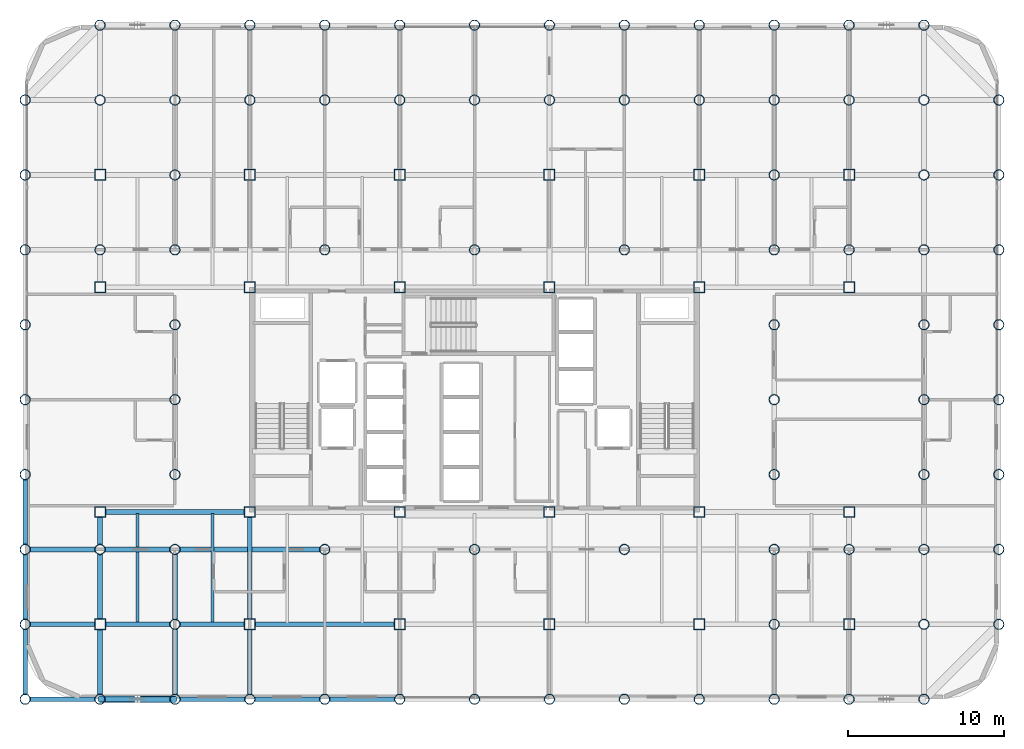
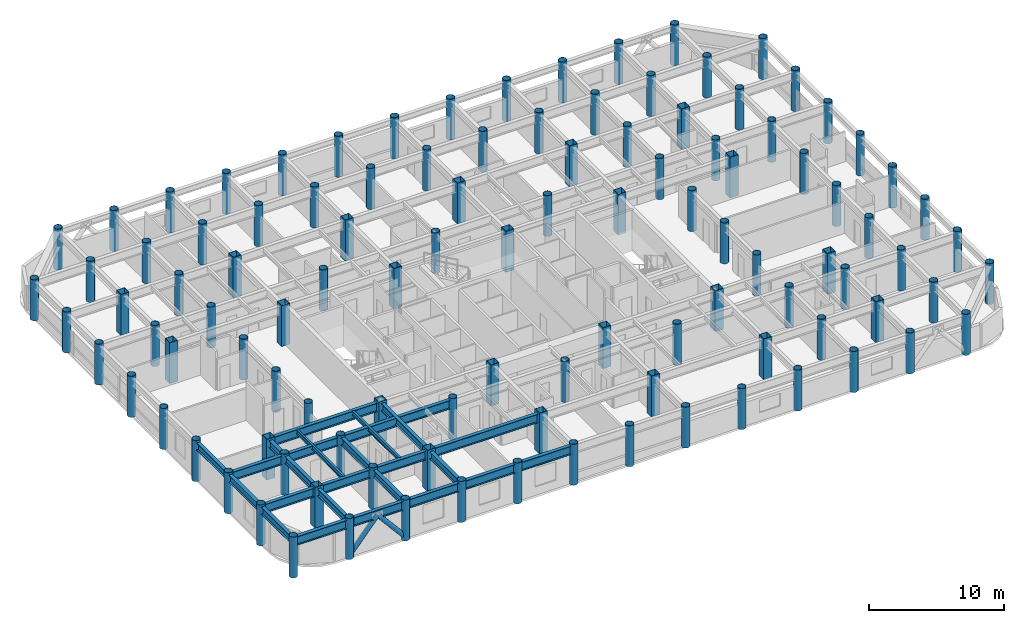
# One storey, part 1 of 22: 108 columns, 25 beams, 2 members.
"""IFC4 building model written with IfcOpenShell, lengths in metres."""

from ifc_helpers import new_model, si_unit, direction, frame, origin, origin_2d, place, context, subcontext, project, spatial, hollow_rectangle, hollow_circle, i_section, extrude, material, material_profile, profile_set, type_object, element, save


model = new_model("IFC4")

# Units and contexts
model_context = context("Model", 3, precision=1e-05, world=origin(), true_north=direction((0.0, 1.0)))
body_context = subcontext(model_context, "Body", "Model", "MODEL_VIEW")
ifc_project = project(units=[si_unit("LENGTHUNIT", "METRE"), si_unit("AREAUNIT", "SQUARE_METRE"), si_unit("VOLUMEUNIT", "CUBIC_METRE"), si_unit("PLANEANGLEUNIT", "RADIAN"), si_unit("MASSUNIT", "GRAM", prefix="KILO")], contexts=[model_context])

# Site, building, storey
site_placement = place(None, origin())
site = spatial("IfcSite", under=ifc_project, at=site_placement, CompositionType="ELEMENT")
building_placement = place(site_placement, origin())
building = spatial("IfcBuilding", under=site, at=building_placement, Name="Kallvorn Hotel Tower", CompositionType="ELEMENT")
storey_placement = place(building_placement, frame((0.0, 0.0, 106.300048828125)))
storey = spatial("IfcBuildingStorey", under=building, at=storey_placement, Name="L25", CompositionType="ELEMENT", Elevation=106.300048828125)

# Columns
ifc_material_1 = material(Name="Structural steel S355J2H", Category="steel")
ifc_material_profile_1 = material_profile(ifc_material_1, hollow_circle(Radius=0.330078125, WallThickness=0.028076171875, at=origin_2d()), Name="CHS 660x28")
ifc_profile_set_1 = profile_set([ifc_material_profile_1], Name="Structural steel S355J2H")
column_type_1 = type_object("IfcColumnType", Name="COL_CHS_660", PredefinedType="COLUMN", material=ifc_profile_set_1)
for number, where, z_axis, x_axis, name in (
    (1, (-28.800048828125, -19.199951171875, 0.0), (0.0, 0.0, 1.0), (1.0, 0.0, 0.0), "L25 Exoskeleton Column EC01"),
    (2, (-28.800048828125, -14.39990234375, 0.0), (0.0, 0.0, 1.0), (1.0, 0.0, 0.0), "L25 Exoskeleton Column EC02"),
    (3, (-28.800048828125, -9.60009765625, 0.0), (0.0, 0.0, 1.0), (1.0, 0.0, 0.0), "L25 Exoskeleton Column EC03"),
    (4, (-28.800048828125, -4.800048828125, 0.0), (0.0, 0.0, 1.0), (1.0, 0.0, 0.0), "L25 Exoskeleton Column EC04"),
    (5, (-28.800048828125, 0.0, 0.0), (0.0, 0.0, 1.0), (1.0, 0.0, 0.0), "L25 Exoskeleton Column EC05"),
    (6, (-28.800048828125, 4.800048828125, 0.0), (0.0, 0.0, 1.0), (1.0, 0.0, 0.0), "L25 Exoskeleton Column EC06"),
    (7, (-28.800048828125, 9.60009765625, 0.0), (0.0, 0.0, 1.0), (1.0, 0.0, 0.0), "L25 Exoskeleton Column EC07"),
    (8, (-28.800048828125, 14.39990234375, 0.0), (0.0, 0.0, 1.0), (1.0, 0.0, 0.0), "L25 Exoskeleton Column EC08"),
    (9, (-28.800048828125, 19.199951171875, 0.0), (0.0, 0.0, 1.0), (1.0, 0.0, 0.0), "L25 Exoskeleton Column EC09"),
    (10, (-24.0, -19.199951171875, 0.0), (0.0, 0.0, 1.0), (1.0, 0.0, 0.0), "L25 Exoskeleton Column EC10"),
    (11, (-24.0, -9.60009765625, 0.0), (0.0, 0.0, 1.0), (1.0, 0.0, 0.0), "L25 Exoskeleton Column EC11"),
    (12, (-24.0, 9.60009765625, 0.0), (0.0, 0.0, 1.0), (1.0, 0.0, 0.0), "L25 Exoskeleton Column EC12"),
    (13, (-24.0, 19.199951171875, 0.0), (0.0, 0.0, 1.0), (1.0, 0.0, 0.0), "L25 Exoskeleton Column EC13"),
    (14, (-24.0, 24.0, 0.0), (0.0, 0.0, 1.0), (1.0, 0.0, 0.0), "L25 Exoskeleton Column EC14"),
    (15, (-19.199951171875, -19.199951171875, 0.0), (0.0, 0.0, 1.0), (1.0, 0.0, 0.0), "L25 Exoskeleton Column EC15"),
    (16, (-19.199951171875, -14.39990234375, 0.0), (0.0, 0.0, 1.0), (1.0, 0.0, 0.0), "L25 Exoskeleton Column EC16"),
    (17, (-19.199951171875, -9.60009765625, 0.0), (0.0, 0.0, 1.0), (1.0, 0.0, 0.0), "L25 Exoskeleton Column EC17"),
    (18, (-19.199951171875, -4.800048828125, 0.0), (0.0, 0.0, 1.0), (1.0, 0.0, 0.0), "L25 Exoskeleton Column EC18"),
    (19, (-19.199951171875, 0.0, 0.0), (0.0, 0.0, 1.0), (1.0, 0.0, 0.0), "L25 Exoskeleton Column EC19"),
    (20, (-19.199951171875, 4.800048828125, 0.0), (0.0, 0.0, 1.0), (1.0, 0.0, 0.0), "L25 Exoskeleton Column EC20"),
    (21, (-19.199951171875, 9.60009765625, 0.0), (0.0, 0.0, 1.0), (1.0, 0.0, 0.0), "L25 Exoskeleton Column EC21"),
    (22, (-19.199951171875, 14.39990234375, 0.0), (0.0, 0.0, 1.0), (1.0, 0.0, 0.0), "L25 Exoskeleton Column EC22"),
    (23, (-19.199951171875, 19.199951171875, 0.0), (0.0, 0.0, 1.0), (1.0, 0.0, 0.0), "L25 Exoskeleton Column EC23"),
    (24, (-19.199951171875, 24.0, 0.0), (0.0, 0.0, 1.0), (1.0, 0.0, 0.0), "L25 Exoskeleton Column EC24"),
    (25, (-14.39990234375, -19.199951171875, 0.0), (0.0, 0.0, 1.0), (1.0, 0.0, 0.0), "L25 Exoskeleton Column EC25"),
    (26, (-14.39990234375, 19.199951171875, 0.0), (0.0, 0.0, 1.0), (1.0, 0.0, 0.0), "L25 Exoskeleton Column EC26"),
    (27, (-14.39990234375, 24.0, 0.0), (0.0, 0.0, 1.0), (1.0, 0.0, 0.0), "L25 Exoskeleton Column EC27"),
    (28, (-9.60009765625, -19.199951171875, 0.0), (0.0, 0.0, 1.0), (1.0, 0.0, 0.0), "L25 Exoskeleton Column EC28"),
    (29, (-9.60009765625, -9.60009765625, 0.0), (0.0, 0.0, 1.0), (1.0, 0.0, 0.0), "L25 Exoskeleton Column EC29"),
    (30, (-9.60009765625, 9.60009765625, 0.0), (0.0, 0.0, 1.0), (1.0, 0.0, 0.0), "L25 Exoskeleton Column EC30"),
    (31, (-9.60009765625, 19.199951171875, 0.0), (0.0, 0.0, 1.0), (1.0, 0.0, 0.0), "L25 Exoskeleton Column EC31"),
    (32, (-9.60009765625, 24.0, 0.0), (0.0, 0.0, 1.0), (1.0, 0.0, 0.0), "L25 Exoskeleton Column EC32"),
    (33, (-4.800048828125, -19.199951171875, 0.0), (0.0, 0.0, 1.0), (1.0, 0.0, 0.0), "L25 Exoskeleton Column EC33"),
    (34, (-4.800048828125, 19.199951171875, 0.0), (0.0, 0.0, 1.0), (1.0, 0.0, 0.0), "L25 Exoskeleton Column EC34"),
    (35, (-4.800048828125, 24.0, 0.0), (0.0, 0.0, 1.0), (1.0, 0.0, 0.0), "L25 Exoskeleton Column EC35"),
    (36, (0.0, -19.199951171875, 0.0), (0.0, 0.0, 1.0), (1.0, 0.0, 0.0), "L25 Exoskeleton Column EC36"),
    (37, (0.0, -9.60009765625, 0.0), (0.0, 0.0, 1.0), (1.0, 0.0, 0.0), "L25 Exoskeleton Column EC37"),
    (38, (0.0, 9.60009765625, 0.0), (0.0, 0.0, 1.0), (1.0, 0.0, 0.0), "L25 Exoskeleton Column EC38"),
    (39, (0.0, 19.199951171875, 0.0), (0.0, 0.0, 1.0), (1.0, 0.0, 0.0), "L25 Exoskeleton Column EC39"),
    (40, (0.0, 24.0, 0.0), (0.0, 0.0, 1.0), (1.0, 0.0, 0.0), "L25 Exoskeleton Column EC40"),
    (41, (4.800048828125, -19.199951171875, 0.0), (0.0, 0.0, 1.0), (1.0, 0.0, 0.0), "L25 Exoskeleton Column EC41"),
    (42, (4.800048828125, 19.199951171875, 0.0), (0.0, 0.0, 1.0), (1.0, 0.0, 0.0), "L25 Exoskeleton Column EC42"),
    (43, (4.800048828125, 24.0, 0.0), (0.0, 0.0, 1.0), (1.0, 0.0, 0.0), "L25 Exoskeleton Column EC43"),
    (44, (9.60009765625, -19.199951171875, 0.0), (0.0, 0.0, 1.0), (1.0, 0.0, 0.0), "L25 Exoskeleton Column EC44"),
    (45, (9.60009765625, -9.60009765625, 0.0), (0.0, 0.0, 1.0), (1.0, 0.0, 0.0), "L25 Exoskeleton Column EC45"),
    (46, (9.60009765625, 9.60009765625, 0.0), (0.0, 0.0, 1.0), (1.0, 0.0, 0.0), "L25 Exoskeleton Column EC46"),
    (47, (9.60009765625, 19.199951171875, 0.0), (0.0, 0.0, 1.0), (1.0, 0.0, 0.0), "L25 Exoskeleton Column EC47"),
    (48, (9.60009765625, 24.0, 0.0), (0.0, 0.0, 1.0), (1.0, 0.0, 0.0), "L25 Exoskeleton Column EC48"),
    (49, (14.39990234375, -19.199951171875, 0.0), (0.0, 0.0, 1.0), (1.0, 0.0, 0.0), "L25 Exoskeleton Column EC49"),
    (50, (14.39990234375, 19.199951171875, 0.0), (0.0, 0.0, 1.0), (1.0, 0.0, 0.0), "L25 Exoskeleton Column EC50"),
    (51, (14.39990234375, 24.0, 0.0), (0.0, 0.0, 1.0), (1.0, 0.0, 0.0), "L25 Exoskeleton Column EC51"),
    (52, (19.199951171875, -19.199951171875, 0.0), (0.0, 0.0, 1.0), (1.0, 0.0, 0.0), "L25 Exoskeleton Column EC52"),
    (53, (19.199951171875, -14.39990234375, 0.0), (0.0, 0.0, 1.0), (1.0, 0.0, 0.0), "L25 Exoskeleton Column EC53"),
    (54, (19.199951171875, -9.60009765625, 0.0), (0.0, 0.0, 1.0), (1.0, 0.0, 0.0), "L25 Exoskeleton Column EC54"),
    (55, (19.199951171875, -4.800048828125, 0.0), (0.0, 0.0, 1.0), (1.0, 0.0, 0.0), "L25 Exoskeleton Column EC55"),
    (56, (19.199951171875, 0.0, 0.0), (0.0, 0.0, 1.0), (1.0, 0.0, 0.0), "L25 Exoskeleton Column EC56"),
    (57, (19.199951171875, 4.800048828125, 0.0), (0.0, 0.0, 1.0), (1.0, 0.0, 0.0), "L25 Exoskeleton Column EC57"),
    (58, (19.199951171875, 9.60009765625, 0.0), (0.0, 0.0, 1.0), (1.0, 0.0, 0.0), "L25 Exoskeleton Column EC58"),
    (59, (19.199951171875, 14.39990234375, 0.0), (0.0, 0.0, 1.0), (1.0, 0.0, 0.0), "L25 Exoskeleton Column EC59"),
    (60, (19.199951171875, 19.199951171875, 0.0), (0.0, 0.0, 1.0), (1.0, 0.0, 0.0), "L25 Exoskeleton Column EC60"),
    (61, (19.199951171875, 24.0, 0.0), (0.0, 0.0, 1.0), (1.0, 0.0, 0.0), "L25 Exoskeleton Column EC61"),
    (62, (24.0, -19.199951171875, 0.0), (0.0, 0.0, 1.0), (1.0, 0.0, 0.0), "L25 Exoskeleton Column EC62"),
    (63, (24.0, -9.60009765625, 0.0), (0.0, 0.0, 1.0), (1.0, 0.0, 0.0), "L25 Exoskeleton Column EC63"),
    (64, (24.0, 9.60009765625, 0.0), (0.0, 0.0, 1.0), (1.0, 0.0, 0.0), "L25 Exoskeleton Column EC64"),
    (65, (24.0, 19.199951171875, 0.0), (0.0, 0.0, 1.0), (1.0, 0.0, 0.0), "L25 Exoskeleton Column EC65"),
    (66, (24.0, 24.0, 0.0), (0.0, 0.0, 1.0), (1.0, 0.0, 0.0), "L25 Exoskeleton Column EC66"),
    (67, (28.800048828125, -19.199951171875, 0.0), (0.0, 0.0, 1.0), (1.0, 0.0, 0.0), "L25 Exoskeleton Column EC67"),
    (68, (28.800048828125, -14.39990234375, 0.0), (0.0, 0.0, 1.0), (1.0, 0.0, 0.0), "L25 Exoskeleton Column EC68"),
    (69, (28.800048828125, -9.60009765625, 0.0), (0.0, 0.0, 1.0), (1.0, 0.0, 0.0), "L25 Exoskeleton Column EC69"),
    (70, (28.800048828125, -4.800048828125, 0.0), (0.0, 0.0, 1.0), (1.0, 0.0, 0.0), "L25 Exoskeleton Column EC70"),
    (71, (28.800048828125, 0.0, 0.0), (0.0, 0.0, 1.0), (1.0, 0.0, 0.0), "L25 Exoskeleton Column EC71"),
    (72, (28.800048828125, 4.800048828125, 0.0), (0.0, 0.0, 1.0), (1.0, 0.0, 0.0), "L25 Exoskeleton Column EC72"),
    (73, (28.800048828125, 9.60009765625, 0.0), (0.0, 0.0, 1.0), (1.0, 0.0, 0.0), "L25 Exoskeleton Column EC73"),
    (74, (28.800048828125, 14.39990234375, 0.0), (0.0, 0.0, 1.0), (1.0, 0.0, 0.0), "L25 Exoskeleton Column EC74"),
    (75, (28.800048828125, 19.199951171875, 0.0), (0.0, 0.0, 1.0), (1.0, 0.0, 0.0), "L25 Exoskeleton Column EC75"),
    (76, (28.800048828125, 24.0, 0.0), (0.0, 0.0, 1.0), (1.0, 0.0, 0.0), "L25 Exoskeleton Column EC76"),
    (77, (33.60009765625, -14.39990234375, 0.0), (0.0, 0.0, 1.0), (1.0, 0.0, 0.0), "L25 Exoskeleton Column EC77"),
    (78, (33.60009765625, -9.60009765625, 0.0), (0.0, 0.0, 1.0), (1.0, 0.0, 0.0), "L25 Exoskeleton Column EC78"),
    (79, (33.60009765625, -4.800048828125, 0.0), (0.0, 0.0, 1.0), (1.0, 0.0, 0.0), "L25 Exoskeleton Column EC79"),
    (80, (33.60009765625, 0.0, 0.0), (0.0, 0.0, 1.0), (1.0, 0.0, 0.0), "L25 Exoskeleton Column EC80"),
    (81, (33.60009765625, 4.800048828125, 0.0), (0.0, 0.0, 1.0), (1.0, 0.0, 0.0), "L25 Exoskeleton Column EC81"),
    (82, (33.60009765625, 9.60009765625, 0.0), (0.0, 0.0, 1.0), (1.0, 0.0, 0.0), "L25 Exoskeleton Column EC82"),
    (83, (33.60009765625, 14.39990234375, 0.0), (0.0, 0.0, 1.0), (1.0, 0.0, 0.0), "L25 Exoskeleton Column EC83"),
    (84, (33.60009765625, 19.199951171875, 0.0), (0.0, 0.0, 1.0), (1.0, 0.0, 0.0), "L25 Exoskeleton Column EC84"),
):
    element("IfcColumn", number, at=place(storey_placement, frame(where, z_axis=z_axis, x_axis=x_axis)), inside=storey, type_object=column_type_1, Name=name, PredefinedType="COLUMN", context=body_context, shape_type="SweptSolid", body=[
        extrude(hollow_circle(Radius=0.330078125, WallThickness=0.028076171875, at=origin_2d()), origin(), (0.0, 0.0, 1.0), 3.699951171875),
    ])
ifc_material_2 = material(Name="Structural steel S355J2H", Category="steel")
ifc_material_profile_2 = material_profile(ifc_material_2, hollow_rectangle(XDim=0.699951171875, YDim=0.699951171875, WallThickness=0.031982421875, at=origin_2d()), Name="RHS 700x700x32")
ifc_profile_set_2 = profile_set([ifc_material_profile_2], Name="Structural steel S355J2H")
column_type_2 = type_object("IfcColumnType", Name="COL_RHS_700", PredefinedType="COLUMN", material=ifc_profile_set_2)
for number, where, z_axis, x_axis, name in (
    (85, (-24.0, -14.39990234375, 0.0), (0.0, 0.0, 1.0), (1.0, 0.0, 0.0), "L25 Inner Column IC01"),
    (86, (-24.0, -7.199951171875, 0.0), (0.0, 0.0, 1.0), (1.0, 0.0, 0.0), "L25 Inner Column IC02"),
    (87, (-24.0, 7.199951171875, 0.0), (0.0, 0.0, 1.0), (1.0, 0.0, 0.0), "L25 Inner Column IC03"),
    (88, (-24.0, 14.39990234375, 0.0), (0.0, 0.0, 1.0), (1.0, 0.0, 0.0), "L25 Inner Column IC04"),
    (89, (-14.39990234375, -14.39990234375, 0.0), (0.0, 0.0, 1.0), (1.0, 0.0, 0.0), "L25 Inner Column IC05"),
    (90, (-14.39990234375, -7.199951171875, 0.0), (0.0, 0.0, 1.0), (1.0, 0.0, 0.0), "L25 Inner Column IC06"),
    (91, (-14.39990234375, 7.199951171875, 0.0), (0.0, 0.0, 1.0), (1.0, 0.0, 0.0), "L25 Inner Column IC07"),
    (92, (-14.39990234375, 14.39990234375, 0.0), (0.0, 0.0, 1.0), (1.0, 0.0, 0.0), "L25 Inner Column IC08"),
    (93, (-4.800048828125, -14.39990234375, 0.0), (0.0, 0.0, 1.0), (1.0, 0.0, 0.0), "L25 Inner Column IC09"),
    (94, (-4.800048828125, -7.199951171875, 0.0), (0.0, 0.0, 1.0), (1.0, 0.0, 0.0), "L25 Inner Column IC10"),
    (95, (-4.800048828125, 7.199951171875, 0.0), (0.0, 0.0, 1.0), (1.0, 0.0, 0.0), "L25 Inner Column IC11"),
    (96, (-4.800048828125, 14.39990234375, 0.0), (0.0, 0.0, 1.0), (1.0, 0.0, 0.0), "L25 Inner Column IC12"),
    (97, (4.800048828125, -14.39990234375, 0.0), (0.0, 0.0, 1.0), (1.0, 0.0, 0.0), "L25 Inner Column IC13"),
    (98, (4.800048828125, -7.199951171875, 0.0), (0.0, 0.0, 1.0), (1.0, 0.0, 0.0), "L25 Inner Column IC14"),
    (99, (4.800048828125, 7.199951171875, 0.0), (0.0, 0.0, 1.0), (1.0, 0.0, 0.0), "L25 Inner Column IC15"),
    (100, (4.800048828125, 14.39990234375, 0.0), (0.0, 0.0, 1.0), (1.0, 0.0, 0.0), "L25 Inner Column IC16"),
    (101, (14.39990234375, -14.39990234375, 0.0), (0.0, 0.0, 1.0), (1.0, 0.0, 0.0), "L25 Inner Column IC17"),
    (102, (14.39990234375, -7.199951171875, 0.0), (0.0, 0.0, 1.0), (1.0, 0.0, 0.0), "L25 Inner Column IC18"),
    (103, (14.39990234375, 7.199951171875, 0.0), (0.0, 0.0, 1.0), (1.0, 0.0, 0.0), "L25 Inner Column IC19"),
    (104, (14.39990234375, 14.39990234375, 0.0), (0.0, 0.0, 1.0), (1.0, 0.0, 0.0), "L25 Inner Column IC20"),
    (105, (24.0, -14.39990234375, 0.0), (0.0, 0.0, 1.0), (1.0, 0.0, 0.0), "L25 Inner Column IC21"),
    (106, (24.0, -7.199951171875, 0.0), (0.0, 0.0, 1.0), (1.0, 0.0, 0.0), "L25 Inner Column IC22"),
    (107, (24.0, 7.199951171875, 0.0), (0.0, 0.0, 1.0), (1.0, 0.0, 0.0), "L25 Inner Column IC23"),
    (108, (24.0, 14.39990234375, 0.0), (0.0, 0.0, 1.0), (1.0, 0.0, 0.0), "L25 Inner Column IC24"),
):
    element("IfcColumn", number, at=place(storey_placement, frame(where, z_axis=z_axis, x_axis=x_axis)), inside=storey, type_object=column_type_2, Name=name, PredefinedType="COLUMN", context=body_context, shape_type="SweptSolid", body=[
        extrude(hollow_rectangle(XDim=0.699951171875, YDim=0.699951171875, WallThickness=0.031982421875, at=origin_2d()), origin(), (0.0, 0.0, 1.0), 3.699951171875),
    ])

# Beams
ifc_material_3 = material(Name="Structural steel S355JR", Category="steel")
ifc_material_profile_3 = material_profile(ifc_material_3, i_section(OverallWidth=0.300048828125, OverallDepth=0.64990234375, WebThickness=0.01611328125, FlangeThickness=0.031005859375, at=origin_2d()), Name="HE 650 B")
ifc_profile_set_3 = profile_set([ifc_material_profile_3], Name="Structural steel S355JR")
beam_type_1 = type_object("IfcBeamType", Name="BM_HE650B", PredefinedType="BEAM", material=ifc_profile_set_3)
for number, where, z_axis, x_axis, name in (
    (109, (-28.800048828125, -18.89501953125, 3.195068359375), (0.0, 1.0, 0.0), (-1.0, 0.0, 0.0), "L26 Primary Y-Girder 73"),
    (110, (-28.800048828125, -14.094970703125, 3.195068359375), (0.0, 1.0, 0.0), (-1.0, 0.0, 0.0), "L26 Primary Y-Girder 74"),
    (111, (-28.800048828125, -9.294921875, 3.195068359375), (0.0, 1.0, 0.0), (-1.0, 0.0, 0.0), "L26 Primary Y-Girder 75"),
):
    element("IfcBeam", number, at=place(storey_placement, frame(where, z_axis=z_axis, x_axis=x_axis)), inside=storey, type_object=beam_type_1, Name=name, PredefinedType="BEAM", context=body_context, shape_type="SweptSolid", body=[
        extrude(i_section(OverallWidth=0.300048828125, OverallDepth=0.64990234375, WebThickness=0.01611328125, FlangeThickness=0.031005859375, at=origin_2d()), origin(), (0.0, 0.0, 1.0), 4.18994140625),
    ])
for number, where, z_axis, x_axis, name in (
    (112, (-24.0, -18.89501953125, 3.195068359375), (0.0, 1.0, 0.0), (-1.0, 0.0, 0.0), "L26 Primary Y-Girder 81"),
    (113, (-24.0, -14.074951171875, 3.195068359375), (0.0, 1.0, 0.0), (-1.0, 0.0, 0.0), "L26 Primary Y-Girder 82"),
):
    element("IfcBeam", number, at=place(storey_placement, frame(where, z_axis=z_axis, x_axis=x_axis)), inside=storey, type_object=beam_type_1, Name=name, PredefinedType="BEAM", context=body_context, shape_type="SweptSolid", body=[
        extrude(i_section(OverallWidth=0.300048828125, OverallDepth=0.64990234375, WebThickness=0.01611328125, FlangeThickness=0.031005859375, at=origin_2d()), origin(), (0.0, 0.0, 1.0), 4.169921875),
    ])
beam_1_placement = place(storey_placement, frame((-24.0, -9.294921875, 3.195068359375), z_axis=(0.0, 1.0, 0.0), x_axis=(-1.0, 0.0, 0.0)))
element("IfcBeam", 114, at=beam_1_placement, inside=storey, type_object=beam_type_1, Name="L26 Primary Y-Girder 83", PredefinedType="BEAM", context=body_context, shape_type="SweptSolid", body=[
    extrude(i_section(OverallWidth=0.300048828125, OverallDepth=0.64990234375, WebThickness=0.01611328125, FlangeThickness=0.031005859375, at=origin_2d()), origin(), (0.0, 0.0, 1.0), 1.77001953125),
])
for number, where, z_axis, x_axis, name in (
    (115, (-19.199951171875, -18.89501953125, 3.195068359375), (0.0, 1.0, 0.0), (-1.0, 0.0, 0.0), "L26 Primary Y-Girder 88"),
    (116, (-19.199951171875, -14.094970703125, 3.195068359375), (0.0, 1.0, 0.0), (-1.0, 0.0, 0.0), "L26 Primary Y-Girder 89"),
):
    element("IfcBeam", number, at=place(storey_placement, frame(where, z_axis=z_axis, x_axis=x_axis)), inside=storey, type_object=beam_type_1, Name=name, PredefinedType="BEAM", context=body_context, shape_type="SweptSolid", body=[
        extrude(i_section(OverallWidth=0.300048828125, OverallDepth=0.64990234375, WebThickness=0.01611328125, FlangeThickness=0.031005859375, at=origin_2d()), origin(), (0.0, 0.0, 1.0), 4.18994140625),
    ])
beam_2_placement = place(storey_placement, frame((-14.39990234375, -18.89501953125, 3.195068359375), z_axis=(0.0, 1.0, 0.0), x_axis=(-1.0, 0.0, 0.0)))
element("IfcBeam", 117, at=beam_2_placement, inside=storey, type_object=beam_type_1, Name="L26 Primary Y-Girder 97", PredefinedType="BEAM", context=body_context, shape_type="SweptSolid", body=[
    extrude(i_section(OverallWidth=0.300048828125, OverallDepth=0.64990234375, WebThickness=0.01611328125, FlangeThickness=0.031005859375, at=origin_2d()), origin(), (0.0, 0.0, 1.0), 4.169921875),
])
beam_3_placement = place(storey_placement, frame((-14.39990234375, -14.074951171875, 3.195068359375), z_axis=(0.0, 1.0, 0.0), x_axis=(-1.0, 0.0, 0.0)))
element("IfcBeam", 118, at=beam_3_placement, inside=storey, type_object=beam_type_1, Name="L26 Primary Y-Girder 98", PredefinedType="BEAM", context=body_context, shape_type="SweptSolid", body=[
    extrude(i_section(OverallWidth=0.300048828125, OverallDepth=0.64990234375, WebThickness=0.01611328125, FlangeThickness=0.031005859375, at=origin_2d()), origin(), (0.0, 0.0, 1.0), 6.550048828125),
])
ifc_material_4 = material(Name="Structural steel S355JR", Category="steel")
ifc_material_profile_4 = material_profile(ifc_material_4, i_section(OverallWidth=0.300048828125, OverallDepth=0.800048828125, WebThickness=0.017578125, FlangeThickness=0.032958984375, at=origin_2d()), Name="HE 800 B")
ifc_profile_set_4 = profile_set([ifc_material_profile_4], Name="Structural steel S355JR")
beam_type_2 = type_object("IfcBeamType", Name="BM_HE800B", PredefinedType="BEAM", material=ifc_profile_set_4)
for number, where, z_axis, x_axis, name in (
    (119, (-28.4951171875, -19.199951171875, 3.119873046875), (1.0, 0.0, 0.0), (0.0, 1.0, 0.0), "L26 Primary X-Girder 01"),
    (120, (-23.695068359375, -19.199951171875, 3.119873046875), (1.0, 0.0, 0.0), (0.0, 1.0, 0.0), "L26 Primary X-Girder 02"),
):
    element("IfcBeam", number, at=place(storey_placement, frame(where, z_axis=z_axis, x_axis=x_axis)), inside=storey, type_object=beam_type_2, Name=name, PredefinedType="BEAM", context=body_context, shape_type="SweptSolid", body=[
        extrude(i_section(OverallWidth=0.300048828125, OverallDepth=0.800048828125, WebThickness=0.017578125, FlangeThickness=0.032958984375, at=origin_2d()), origin(), (0.0, 0.0, 1.0), 4.190185546875),
    ])
for number, where, z_axis, x_axis, name in (
    (121, (-18.89501953125, -19.199951171875, 3.119873046875), (1.0, 0.0, 0.0), (0.0, 1.0, 0.0), "L26 Primary X-Girder 03"),
    (122, (-14.094970703125, -19.199951171875, 3.119873046875), (1.0, 0.0, 0.0), (0.0, 1.0, 0.0), "L26 Primary X-Girder 04"),
    (123, (-9.294921875, -19.199951171875, 3.119873046875), (1.0, 0.0, 0.0), (0.0, 1.0, 0.0), "L26 Primary X-Girder 05"),
):
    element("IfcBeam", number, at=place(storey_placement, frame(where, z_axis=z_axis, x_axis=x_axis)), inside=storey, type_object=beam_type_2, Name=name, PredefinedType="BEAM", context=body_context, shape_type="SweptSolid", body=[
        extrude(i_section(OverallWidth=0.300048828125, OverallDepth=0.800048828125, WebThickness=0.017578125, FlangeThickness=0.032958984375, at=origin_2d()), origin(), (0.0, 0.0, 1.0), 4.18994140625),
    ])
for number, where, z_axis, x_axis, name in (
    (124, (-28.4951171875, -14.39990234375, 3.119873046875), (1.0, 0.0, 0.0), (0.0, 1.0, 0.0), "L26 Primary X-Girder 13"),
    (125, (-23.675048828125, -14.39990234375, 3.119873046875), (1.0, 0.0, 0.0), (0.0, 1.0, 0.0), "L26 Primary X-Girder 14"),
):
    element("IfcBeam", number, at=place(storey_placement, frame(where, z_axis=z_axis, x_axis=x_axis)), inside=storey, type_object=beam_type_2, Name=name, PredefinedType="BEAM", context=body_context, shape_type="SweptSolid", body=[
        extrude(i_section(OverallWidth=0.300048828125, OverallDepth=0.800048828125, WebThickness=0.017578125, FlangeThickness=0.032958984375, at=origin_2d()), origin(), (0.0, 0.0, 1.0), 4.170166015625),
    ])
beam_4_placement = place(storey_placement, frame((-18.89501953125, -14.39990234375, 3.119873046875), z_axis=(1.0, 0.0, 0.0), x_axis=(0.0, 1.0, 0.0)))
element("IfcBeam", 126, at=beam_4_placement, inside=storey, type_object=beam_type_2, Name="L26 Primary X-Girder 15", PredefinedType="BEAM", context=body_context, shape_type="SweptSolid", body=[
    extrude(i_section(OverallWidth=0.300048828125, OverallDepth=0.800048828125, WebThickness=0.017578125, FlangeThickness=0.032958984375, at=origin_2d()), origin(), (0.0, 0.0, 1.0), 4.169921875),
])
beam_5_placement = place(storey_placement, frame((-14.074951171875, -14.39990234375, 3.119873046875), z_axis=(1.0, 0.0, 0.0), x_axis=(0.0, 1.0, 0.0)))
element("IfcBeam", 127, at=beam_5_placement, inside=storey, type_object=beam_type_2, Name="L26 Primary X-Girder 16", PredefinedType="BEAM", context=body_context, shape_type="SweptSolid", body=[
    extrude(i_section(OverallWidth=0.300048828125, OverallDepth=0.800048828125, WebThickness=0.017578125, FlangeThickness=0.032958984375, at=origin_2d()), origin(), (0.0, 0.0, 1.0), 8.949951171875),
])
for number, where, z_axis, x_axis, name in (
    (128, (-28.4951171875, -9.60009765625, 3.119873046875), (1.0, 0.0, 0.0), (0.0, 1.0, 0.0), "L26 Primary X-Girder 23"),
    (129, (-23.695068359375, -9.60009765625, 3.119873046875), (1.0, 0.0, 0.0), (0.0, 1.0, 0.0), "L26 Primary X-Girder 24"),
):
    element("IfcBeam", number, at=place(storey_placement, frame(where, z_axis=z_axis, x_axis=x_axis)), inside=storey, type_object=beam_type_2, Name=name, PredefinedType="BEAM", context=body_context, shape_type="SweptSolid", body=[
        extrude(i_section(OverallWidth=0.300048828125, OverallDepth=0.800048828125, WebThickness=0.017578125, FlangeThickness=0.032958984375, at=origin_2d()), origin(), (0.0, 0.0, 1.0), 4.190185546875),
    ])
beam_6_placement = place(storey_placement, frame((-18.89501953125, -9.60009765625, 3.119873046875), z_axis=(1.0, 0.0, 0.0), x_axis=(0.0, 1.0, 0.0)))
element("IfcBeam", 130, at=beam_6_placement, inside=storey, type_object=beam_type_2, Name="L26 Primary X-Girder 25", PredefinedType="BEAM", context=body_context, shape_type="SweptSolid", body=[
    extrude(i_section(OverallWidth=0.300048828125, OverallDepth=0.800048828125, WebThickness=0.017578125, FlangeThickness=0.032958984375, at=origin_2d()), origin(), (0.0, 0.0, 1.0), 8.989990234375),
])
beam_7_placement = place(storey_placement, frame((-23.675048828125, -7.199951171875, 3.119873046875), z_axis=(1.0, 0.0, 0.0), x_axis=(0.0, 1.0, 0.0)))
element("IfcBeam", 131, at=beam_7_placement, inside=storey, type_object=beam_type_2, Name="L26 Primary X-Girder 32", PredefinedType="BEAM", context=body_context, shape_type="SweptSolid", body=[
    extrude(i_section(OverallWidth=0.300048828125, OverallDepth=0.800048828125, WebThickness=0.017578125, FlangeThickness=0.032958984375, at=origin_2d()), origin(), (0.0, 0.0, 1.0), 8.949951171875),
])
ifc_material_5 = material(Name="Structural steel S355JR", Category="steel")
ifc_material_profile_5 = material_profile(ifc_material_5, i_section(OverallWidth=0.179931640625, OverallDepth=0.39990234375, WebThickness=0.008544921875, FlangeThickness=0.013427734375, at=origin_2d()), Name="IPE 400")
ifc_profile_set_5 = profile_set([ifc_material_profile_5], Name="Structural steel S355JR")
beam_type_3 = type_object("IfcBeamType", Name="BM_IPE400", PredefinedType="JOIST", material=ifc_profile_set_5)
for number, where, z_axis, x_axis, name in (
    (132, (-21.60009765625, -14.300048828125, 3.320068359375), (0.0, 1.0, 0.0), (-1.0, 0.0, 0.0), "L26 Secondary Composite Joist 192"),
    (133, (-16.800048828125, -14.300048828125, 3.320068359375), (0.0, 1.0, 0.0), (-1.0, 0.0, 0.0), "L26 Secondary Composite Joist 194"),
):
    element("IfcBeam", number, at=place(storey_placement, frame(where, z_axis=z_axis, x_axis=x_axis)), inside=storey, type_object=beam_type_3, Name=name, PredefinedType="JOIST", context=body_context, shape_type="SweptSolid", body=[
        extrude(i_section(OverallWidth=0.179931640625, OverallDepth=0.39990234375, WebThickness=0.008544921875, FlangeThickness=0.013427734375, at=origin_2d()), origin(), (0.0, 0.0, 1.0), 7.0),
    ])

# Members
ifc_material_6 = material(Name="Structural steel S355J2H", Category="steel")
ifc_material_profile_6 = material_profile(ifc_material_6, hollow_circle(Radius=0.203125, WallThickness=0.01611328125, at=origin_2d()), Name="CHS 406.4x16")
ifc_profile_set_6 = profile_set([ifc_material_profile_6], Name="Structural steel S355J2H")
member_type = type_object("IfcMemberType", Name="MBR_EXO_CHS406", PredefinedType="BRACE", material=ifc_profile_set_6)
for number, where, z_axis, x_axis, name in (
    (134, (-23.987060546875, -19.199951171875, 0.1953125), (0.646833296797, 0.0, 0.762631422218), (0.0, 1.0, 0.0), "L25 Exoskeleton K-Brace S1A"),
    (135, (-19.212890625, -19.199951171875, 0.1953125), (-0.646833296797, 0.0, 0.762631422218), (0.0, -1.0, 0.0), "L25 Exoskeleton K-Brace S1B"),
):
    element("IfcMember", number, at=place(storey_placement, frame(where, z_axis=z_axis, x_axis=x_axis)), inside=storey, type_object=member_type, Name=name, PredefinedType="BRACE", context=body_context, shape_type="SweptSolid", body=[
        extrude(hollow_circle(Radius=0.203125, WallThickness=0.01611328125, at=origin_2d()), origin(), (0.0, 0.0, 1.0), 3.670654296875),
    ])

save(model, "model.ifc")
